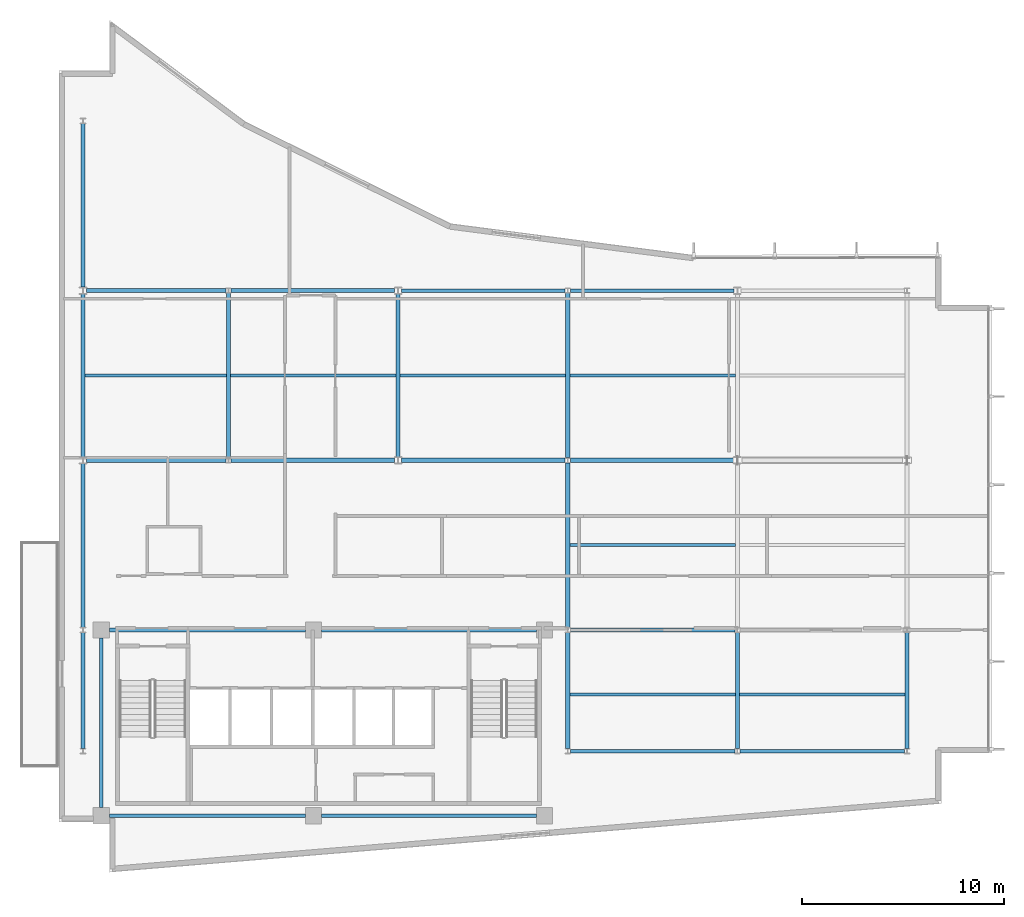
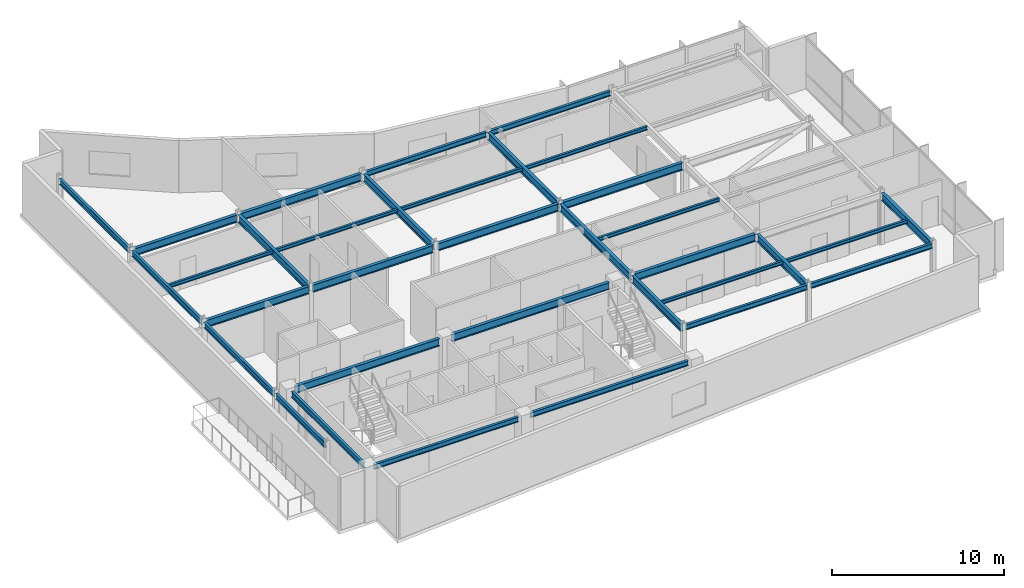
# One storey, part 5 of 19: 34 beams.
"""IFC4 building model written with IfcOpenShell, lengths in metres."""

from ifc_helpers import new_model, si_unit, direction, frame, origin, origin_2d, place, context, subcontext, project, spatial, i_section, extrude, material, material_profile, profile_set, type_object, element, save


model = new_model("IFC4")

# Units and contexts
model_context = context("Model", 3, precision=1e-05, world=origin(), true_north=direction((0.0, 1.0)))
body_context = subcontext(model_context, "Body", "Model", "MODEL_VIEW")
ifc_project = project(units=[si_unit("LENGTHUNIT", "METRE"), si_unit("AREAUNIT", "SQUARE_METRE"), si_unit("VOLUMEUNIT", "CUBIC_METRE"), si_unit("PLANEANGLEUNIT", "RADIAN"), si_unit("MASSUNIT", "GRAM", prefix="KILO")], contexts=[model_context])

# Site, building, storey
site_placement = place(None, origin())
site = spatial("IfcSite", under=ifc_project, at=site_placement, CompositionType="ELEMENT")
building_placement = place(site_placement, origin())
building = spatial("IfcBuilding", under=site, at=building_placement, Name="Varnakote Quay Hospital", CompositionType="ELEMENT")
storey_placement = place(building_placement, frame((0.0, 0.0, 240.75)))
storey = spatial("IfcBuildingStorey", under=building, at=storey_placement, Name="L59", CompositionType="ELEMENT", Elevation=240.75)

# Beams
ifc_material_1 = material(Name="Structural steel AS/NZS 3679.1 Grade 350 L0 (fy 340 MPa)", Category="steel")
ifc_material_profile_1 = material_profile(ifc_material_1, i_section(OverallWidth=0.208984375, OverallDepth=0.528076171875, WebThickness=0.009521484375, FlangeThickness=0.01318359375, FilletRadius=0.013916015625, at=origin_2d()), Name="530UB82.0")
ifc_profile_set_1 = profile_set([ifc_material_profile_1], Name="Structural steel AS/NZS 3679.1 Grade 350 L0 (fy 340 MPa)")
beam_type_1 = type_object("IfcBeamType", Name="BM-STL-530UB82-0", PredefinedType="BEAM", material=ifc_profile_set_1)
beam_1_placement = place(storey_placement, frame((2.5, 12.0, 3.446044921875), z_axis=(1.0, 0.0, 0.0), x_axis=(0.0, 1.0, 0.0)))
element("IfcBeam", 1, at=beam_1_placement, inside=storey, type_object=beam_type_1, Name="L59 Primary Floor Beam", PredefinedType="BEAM", context=body_context, shape_type="SweptSolid", body=[
    extrude(i_section(OverallWidth=0.208984375, OverallDepth=0.528076171875, WebThickness=0.009521484375, FlangeThickness=0.01318359375, FilletRadius=0.013916015625, at=origin_2d()), origin(), (0.0, 0.0, 1.0), 9.719970703125),
])
beam_2_placement = place(storey_placement, frame((13.02001953125, 12.0, 3.446044921875), z_axis=(1.0, 0.0, 0.0), x_axis=(0.0, 1.0, 0.0)))
element("IfcBeam", 2, at=beam_2_placement, inside=storey, type_object=beam_type_1, Name="L59 Primary Floor Beam", PredefinedType="BEAM", context=body_context, shape_type="SweptSolid", body=[
    extrude(i_section(OverallWidth=0.208984375, OverallDepth=0.528076171875, WebThickness=0.009521484375, FlangeThickness=0.01318359375, FilletRadius=0.013916015625, at=origin_2d()), origin(), (0.0, 0.0, 1.0), 10.6298828125),
])
beam_3_placement = place(storey_placement, frame((25.326904296875, 12.0, 3.446044921875), z_axis=(1.0, 0.0, 0.0), x_axis=(0.0, 1.0, 0.0)))
element("IfcBeam", 3, at=beam_3_placement, inside=storey, type_object=beam_type_1, Name="L59 Primary Floor Beam", PredefinedType="BEAM", context=body_context, shape_type="SweptSolid", body=[
    extrude(i_section(OverallWidth=0.208984375, OverallDepth=0.528076171875, WebThickness=0.009521484375, FlangeThickness=0.01318359375, FilletRadius=0.013916015625, at=origin_2d()), origin(), (0.0, 0.0, 1.0), 8.14599609375),
])
beam_4_placement = place(storey_placement, frame((1.375, 20.39990234375, 3.446044921875), z_axis=(1.0, 0.0, 0.0), x_axis=(0.0, 1.0, 0.0)))
element("IfcBeam", 4, at=beam_4_placement, inside=storey, type_object=beam_type_1, Name="L59 Primary Floor Beam", PredefinedType="BEAM", context=body_context, shape_type="SweptSolid", body=[
    extrude(i_section(OverallWidth=0.208984375, OverallDepth=0.528076171875, WebThickness=0.009521484375, FlangeThickness=0.01318359375, FilletRadius=0.013916015625, at=origin_2d()), origin(), (0.0, 0.0, 1.0), 6.89794921875),
])
for number, where, z_axis, x_axis, name in (
    (5, (8.527099609375, 20.39990234375, 3.446044921875), (1.0, 0.0, 0.0), (0.0, 1.0, 0.0), "L59 Primary Floor Beam"),
    (6, (16.97509765625, 20.39990234375, 3.446044921875), (1.0, 0.0, 0.0), (0.0, 1.0, 0.0), "L59 Primary Floor Beam"),
):
    element("IfcBeam", number, at=place(storey_placement, frame(where, z_axis=z_axis, x_axis=x_axis)), inside=storey, type_object=beam_type_1, Name=name, PredefinedType="BEAM", context=body_context, shape_type="SweptSolid", body=[
        extrude(i_section(OverallWidth=0.208984375, OverallDepth=0.528076171875, WebThickness=0.009521484375, FlangeThickness=0.01318359375, FilletRadius=0.013916015625, at=origin_2d()), origin(), (0.0, 0.0, 1.0), 8.097900390625),
    ])
beam_5_placement = place(storey_placement, frame((25.326904296875, 20.39990234375, 3.446044921875), z_axis=(1.0, 0.0, 0.0), x_axis=(0.0, 1.0, 0.0)))
element("IfcBeam", 7, at=beam_5_placement, inside=storey, type_object=beam_type_1, Name="L59 Primary Floor Beam", PredefinedType="BEAM", context=body_context, shape_type="SweptSolid", body=[
    extrude(i_section(OverallWidth=0.208984375, OverallDepth=0.528076171875, WebThickness=0.009521484375, FlangeThickness=0.01318359375, FilletRadius=0.013916015625, at=origin_2d()), origin(), (0.0, 0.0, 1.0), 8.09814453125),
])
beam_6_placement = place(storey_placement, frame((1.375, 28.800048828125, 3.446044921875), z_axis=(1.0, 0.0, 0.0), x_axis=(0.0, 1.0, 0.0)))
element("IfcBeam", 8, at=beam_6_placement, inside=storey, type_object=beam_type_1, Name="L59 Primary Floor Beam", PredefinedType="BEAM", context=body_context, shape_type="SweptSolid", body=[
    extrude(i_section(OverallWidth=0.208984375, OverallDepth=0.528076171875, WebThickness=0.009521484375, FlangeThickness=0.01318359375, FilletRadius=0.013916015625, at=origin_2d()), origin(), (0.0, 0.0, 1.0), 6.89794921875),
])
beam_7_placement = place(storey_placement, frame((8.527099609375, 28.800048828125, 3.446044921875), z_axis=(1.0, 0.0, 0.0), x_axis=(0.0, 1.0, 0.0)))
element("IfcBeam", 9, at=beam_7_placement, inside=storey, type_object=beam_type_1, Name="L59 Primary Floor Beam", PredefinedType="BEAM", context=body_context, shape_type="SweptSolid", body=[
    extrude(i_section(OverallWidth=0.208984375, OverallDepth=0.528076171875, WebThickness=0.009521484375, FlangeThickness=0.01318359375, FilletRadius=0.013916015625, at=origin_2d()), origin(), (0.0, 0.0, 1.0), 8.097900390625),
])
beam_8_placement = place(storey_placement, frame((8.39990234375, 20.527099609375, 3.446044921875), z_axis=(0.0, 1.0, 0.0), x_axis=(-1.0, 0.0, 0.0)))
element("IfcBeam", 10, at=beam_8_placement, inside=storey, type_object=beam_type_1, Name="L59 Primary Tie Beam", PredefinedType="BEAM", context=body_context, shape_type="SweptSolid", body=[
    extrude(i_section(OverallWidth=0.208984375, OverallDepth=0.528076171875, WebThickness=0.009521484375, FlangeThickness=0.01318359375, FilletRadius=0.013916015625, at=origin_2d()), origin(), (0.0, 0.0, 1.0), 8.14599609375),
])
beam_9_placement = place(storey_placement, frame((16.800048828125, 20.570068359375, 3.446044921875), z_axis=(0.0, 1.0, 0.0), x_axis=(-1.0, 0.0, 0.0)))
element("IfcBeam", 11, at=beam_9_placement, inside=storey, type_object=beam_type_1, Name="L59 Primary Tie Beam", PredefinedType="BEAM", context=body_context, shape_type="SweptSolid", body=[
    extrude(i_section(OverallWidth=0.208984375, OverallDepth=0.528076171875, WebThickness=0.009521484375, FlangeThickness=0.01318359375, FilletRadius=0.013916015625, at=origin_2d()), origin(), (0.0, 0.0, 1.0), 8.059814453125),
])
beam_10_placement = place(storey_placement, frame((25.199951171875, 6.126953125, 3.446044921875), z_axis=(0.0, 1.0, 0.0), x_axis=(-1.0, 0.0, 0.0)))
element("IfcBeam", 12, at=beam_10_placement, inside=storey, type_object=beam_type_1, Name="L59 Primary Tie Beam", PredefinedType="BEAM", context=body_context, shape_type="SweptSolid", body=[
    extrude(i_section(OverallWidth=0.208984375, OverallDepth=0.528076171875, WebThickness=0.009521484375, FlangeThickness=0.01318359375, FilletRadius=0.013916015625, at=origin_2d()), origin(), (0.0, 0.0, 1.0), 5.74609375),
])
for number, where, z_axis, x_axis, name in (
    (13, (25.199951171875, 12.126953125, 3.446044921875), (0.0, 1.0, 0.0), (-1.0, 0.0, 0.0), "L59 Primary Tie Beam"),
    (14, (25.199951171875, 20.527099609375, 3.446044921875), (0.0, 1.0, 0.0), (-1.0, 0.0, 0.0), "L59 Primary Tie Beam"),
):
    element("IfcBeam", number, at=place(storey_placement, frame(where, z_axis=z_axis, x_axis=x_axis)), inside=storey, type_object=beam_type_1, Name=name, PredefinedType="BEAM", context=body_context, shape_type="SweptSolid", body=[
        extrude(i_section(OverallWidth=0.208984375, OverallDepth=0.528076171875, WebThickness=0.009521484375, FlangeThickness=0.01318359375, FilletRadius=0.013916015625, at=origin_2d()), origin(), (0.0, 0.0, 1.0), 8.14599609375),
    ])
for number, where, z_axis, x_axis, name in (
    (15, (33.60009765625, 6.126953125, 3.446044921875), (0.0, 1.0, 0.0), (-1.0, 0.0, 0.0), "L59 Primary Tie Beam"),
    (16, (42.0, 6.126953125, 3.446044921875), (0.0, 1.0, 0.0), (-1.0, 0.0, 0.0), "L59 Primary Tie Beam"),
):
    element("IfcBeam", number, at=place(storey_placement, frame(where, z_axis=z_axis, x_axis=x_axis)), inside=storey, type_object=beam_type_1, Name=name, PredefinedType="BEAM", context=body_context, shape_type="SweptSolid", body=[
        extrude(i_section(OverallWidth=0.208984375, OverallDepth=0.528076171875, WebThickness=0.009521484375, FlangeThickness=0.01318359375, FilletRadius=0.013916015625, at=origin_2d()), origin(), (0.0, 0.0, 1.0), 5.74609375),
    ])
ifc_material_2 = material(Name="Structural steel AS/NZS 3679.1 Grade 350 L0 (fy 340 MPa)", Category="steel")
ifc_material_profile_2 = material_profile(ifc_material_2, i_section(OverallWidth=0.14599609375, OverallDepth=0.256103515625, WebThickness=0.00634765625, FlangeThickness=0.010986328125, FilletRadius=0.0087890625, at=origin_2d()), Name="250UB37.3")
ifc_profile_set_2 = profile_set([ifc_material_profile_2], Name="Structural steel AS/NZS 3679.1 Grade 350 L0 (fy 340 MPa)")
beam_type_2 = type_object("IfcBeamType", Name="JST-STL-250UB37-3", PredefinedType="JOIST", material=ifc_profile_set_2)
beam_11_placement = place(storey_placement, frame((25.304443359375, 8.800048828125, 3.58203125), z_axis=(1.0, 0.0, 0.0), x_axis=(0.0, 1.0, 0.0)))
element("IfcBeam", 17, at=beam_11_placement, inside=storey, type_object=beam_type_2, Name="L59 Composite Floor Joist", PredefinedType="JOIST", context=body_context, shape_type="SweptSolid", body=[
    extrude(i_section(OverallWidth=0.14599609375, OverallDepth=0.256103515625, WebThickness=0.00634765625, FlangeThickness=0.010986328125, FilletRadius=0.0087890625, at=origin_2d()), origin(), (0.0, 0.0, 1.0), 8.191162109375),
])
beam_12_placement = place(storey_placement, frame((33.70458984375, 8.800048828125, 3.58203125), z_axis=(1.0, 0.0, 0.0), x_axis=(0.0, 1.0, 0.0)))
element("IfcBeam", 18, at=beam_12_placement, inside=storey, type_object=beam_type_2, Name="L59 Composite Floor Joist", PredefinedType="JOIST", context=body_context, shape_type="SweptSolid", body=[
    extrude(i_section(OverallWidth=0.14599609375, OverallDepth=0.256103515625, WebThickness=0.00634765625, FlangeThickness=0.010986328125, FilletRadius=0.0087890625, at=origin_2d()), origin(), (0.0, 0.0, 1.0), 8.19091796875),
])
beam_13_placement = place(storey_placement, frame((25.304443359375, 16.199951171875, 3.58203125), z_axis=(1.0, 0.0, 0.0), x_axis=(0.0, 1.0, 0.0)))
element("IfcBeam", 19, at=beam_13_placement, inside=storey, type_object=beam_type_2, Name="L59 Composite Floor Joist", PredefinedType="JOIST", context=body_context, shape_type="SweptSolid", body=[
    extrude(i_section(OverallWidth=0.14599609375, OverallDepth=0.256103515625, WebThickness=0.00634765625, FlangeThickness=0.010986328125, FilletRadius=0.0087890625, at=origin_2d()), origin(), (0.0, 0.0, 1.0), 8.191162109375),
])
beam_14_placement = place(storey_placement, frame((1.2890625, 24.60009765625, 3.58203125), z_axis=(1.0, 0.0, 0.0), x_axis=(0.0, 1.0, 0.0)))
element("IfcBeam", 20, at=beam_14_placement, inside=storey, type_object=beam_type_2, Name="L59 Composite Floor Joist", PredefinedType="JOIST", context=body_context, shape_type="SweptSolid", body=[
    extrude(i_section(OverallWidth=0.14599609375, OverallDepth=0.256103515625, WebThickness=0.00634765625, FlangeThickness=0.010986328125, FilletRadius=0.0087890625, at=origin_2d()), origin(), (0.0, 0.0, 1.0), 7.00634765625),
])
beam_15_placement = place(storey_placement, frame((8.50439453125, 24.60009765625, 3.58203125), z_axis=(1.0, 0.0, 0.0), x_axis=(0.0, 1.0, 0.0)))
element("IfcBeam", 21, at=beam_15_placement, inside=storey, type_object=beam_type_2, Name="L59 Composite Floor Joist", PredefinedType="JOIST", context=body_context, shape_type="SweptSolid", body=[
    extrude(i_section(OverallWidth=0.14599609375, OverallDepth=0.256103515625, WebThickness=0.00634765625, FlangeThickness=0.010986328125, FilletRadius=0.0087890625, at=origin_2d()), origin(), (0.0, 0.0, 1.0), 8.191162109375),
])
beam_16_placement = place(storey_placement, frame((16.904541015625, 24.60009765625, 3.58203125), z_axis=(1.0, 0.0, 0.0), x_axis=(0.0, 1.0, 0.0)))
element("IfcBeam", 22, at=beam_16_placement, inside=storey, type_object=beam_type_2, Name="L59 Composite Floor Joist", PredefinedType="JOIST", context=body_context, shape_type="SweptSolid", body=[
    extrude(i_section(OverallWidth=0.14599609375, OverallDepth=0.256103515625, WebThickness=0.00634765625, FlangeThickness=0.010986328125, FilletRadius=0.0087890625, at=origin_2d()), origin(), (0.0, 0.0, 1.0), 8.19091796875),
])
beam_17_placement = place(storey_placement, frame((25.304443359375, 24.60009765625, 3.58203125), z_axis=(1.0, 0.0, 0.0), x_axis=(0.0, 1.0, 0.0)))
element("IfcBeam", 23, at=beam_17_placement, inside=storey, type_object=beam_type_2, Name="L59 Composite Floor Joist", PredefinedType="JOIST", context=body_context, shape_type="SweptSolid", body=[
    extrude(i_section(OverallWidth=0.14599609375, OverallDepth=0.256103515625, WebThickness=0.00634765625, FlangeThickness=0.010986328125, FilletRadius=0.0087890625, at=origin_2d()), origin(), (0.0, 0.0, 1.0), 8.191162109375),
])
ifc_material_3 = material(Name="Structural steel AS/NZS 3679.1 Grade 350 L0 (fy 340 MPa)", Category="steel")
ifc_material_profile_3 = material_profile(ifc_material_3, i_section(OverallWidth=0.172119140625, OverallDepth=0.35888671875, WebThickness=0.008056640625, FlangeThickness=0.012939453125, FilletRadius=0.011474609375, at=origin_2d()), Name="360UB56.7")
ifc_profile_set_3 = profile_set([ifc_material_profile_3], Name="Structural steel AS/NZS 3679.1 Grade 350 L0 (fy 340 MPa)")
beam_type_3 = type_object("IfcBeamType", Name="SPN-STL-360UB56-7", PredefinedType="SPANDREL", material=ifc_profile_set_3)
beam_18_placement = place(storey_placement, frame((2.5, 2.800048828125, 3.530517578125), z_axis=(1.0, 0.0, 0.0), x_axis=(0.0, 1.0, 0.0)))
element("IfcBeam", 24, at=beam_18_placement, inside=storey, type_object=beam_type_3, Name="L59 Perimeter Spandrel Beam", PredefinedType="SPANDREL", context=body_context, shape_type="SweptSolid", body=[
    extrude(i_section(OverallWidth=0.172119140625, OverallDepth=0.35888671875, WebThickness=0.008056640625, FlangeThickness=0.012939453125, FilletRadius=0.011474609375, at=origin_2d()), origin(), (0.0, 0.0, 1.0), 9.719970703125),
])
beam_19_placement = place(storey_placement, frame((13.02001953125, 2.800048828125, 3.530517578125), z_axis=(1.0, 0.0, 0.0), x_axis=(0.0, 1.0, 0.0)))
element("IfcBeam", 25, at=beam_19_placement, inside=storey, type_object=beam_type_3, Name="L59 Perimeter Spandrel Beam", PredefinedType="SPANDREL", context=body_context, shape_type="SweptSolid", body=[
    extrude(i_section(OverallWidth=0.172119140625, OverallDepth=0.35888671875, WebThickness=0.008056640625, FlangeThickness=0.012939453125, FilletRadius=0.011474609375, at=origin_2d()), origin(), (0.0, 0.0, 1.0), 10.6298828125),
])
for number, where, z_axis, x_axis, name in (
    (26, (25.326904296875, 6.0, 3.530517578125), (1.0, 0.0, 0.0), (0.0, 1.0, 0.0), "L59 Perimeter Spandrel Beam"),
    (27, (33.72705078125, 6.0, 3.530517578125), (1.0, 0.0, 0.0), (0.0, 1.0, 0.0), "L59 Perimeter Spandrel Beam"),
):
    element("IfcBeam", number, at=place(storey_placement, frame(where, z_axis=z_axis, x_axis=x_axis)), inside=storey, type_object=beam_type_3, Name=name, PredefinedType="SPANDREL", context=body_context, shape_type="SweptSolid", body=[
        extrude(i_section(OverallWidth=0.172119140625, OverallDepth=0.35888671875, WebThickness=0.008056640625, FlangeThickness=0.012939453125, FilletRadius=0.011474609375, at=origin_2d()), origin(), (0.0, 0.0, 1.0), 8.14599609375),
    ])
beam_20_placement = place(storey_placement, frame((16.97509765625, 28.800048828125, 3.530517578125), z_axis=(1.0, 0.0, 0.0), x_axis=(0.0, 1.0, 0.0)))
element("IfcBeam", 28, at=beam_20_placement, inside=storey, type_object=beam_type_3, Name="L59 Perimeter Spandrel Beam", PredefinedType="SPANDREL", context=body_context, shape_type="SweptSolid", body=[
    extrude(i_section(OverallWidth=0.172119140625, OverallDepth=0.35888671875, WebThickness=0.008056640625, FlangeThickness=0.012939453125, FilletRadius=0.011474609375, at=origin_2d()), origin(), (0.0, 0.0, 1.0), 8.097900390625),
])
beam_21_placement = place(storey_placement, frame((25.326904296875, 28.800048828125, 3.530517578125), z_axis=(1.0, 0.0, 0.0), x_axis=(0.0, 1.0, 0.0)))
element("IfcBeam", 29, at=beam_21_placement, inside=storey, type_object=beam_type_3, Name="L59 Perimeter Spandrel Beam", PredefinedType="SPANDREL", context=body_context, shape_type="SweptSolid", body=[
    extrude(i_section(OverallWidth=0.172119140625, OverallDepth=0.35888671875, WebThickness=0.008056640625, FlangeThickness=0.012939453125, FilletRadius=0.011474609375, at=origin_2d()), origin(), (0.0, 0.0, 1.0), 8.09814453125),
])
ifc_material_4 = material(Name="Structural steel AS/NZS 3679.1 Grade 350 L0 (fy 340 MPa)", Category="steel")
ifc_material_profile_4 = material_profile(ifc_material_4, i_section(OverallWidth=0.177978515625, OverallDepth=0.403076171875, WebThickness=0.007568359375, FlangeThickness=0.010986328125, FilletRadius=0.011474609375, at=origin_2d()), Name="410UB53.7")
ifc_profile_set_4 = profile_set([ifc_material_profile_4], Name="Structural steel AS/NZS 3679.1 Grade 350 L0 (fy 340 MPa)")
beam_type_4 = type_object("IfcBeamType", Name="SPN-STL-410UB53-7", PredefinedType="SPANDREL", material=ifc_profile_set_4)
beam_22_placement = place(storey_placement, frame((1.199951171875, 6.126953125, 3.508544921875), z_axis=(0.0, 1.0, 0.0), x_axis=(-1.0, 0.0, 0.0)))
element("IfcBeam", 30, at=beam_22_placement, inside=storey, type_object=beam_type_4, Name="L59 Perimeter Spandrel Beam", PredefinedType="SPANDREL", context=body_context, shape_type="SweptSolid", body=[
    extrude(i_section(OverallWidth=0.177978515625, OverallDepth=0.403076171875, WebThickness=0.007568359375, FlangeThickness=0.010986328125, FilletRadius=0.011474609375, at=origin_2d()), origin(), (0.0, 0.0, 1.0), 5.74609375),
])
beam_23_placement = place(storey_placement, frame((1.199951171875, 12.126953125, 3.508544921875), z_axis=(0.0, 1.0, 0.0), x_axis=(-1.0, 0.0, 0.0)))
element("IfcBeam", 31, at=beam_23_placement, inside=storey, type_object=beam_type_4, Name="L59 Perimeter Spandrel Beam", PredefinedType="SPANDREL", context=body_context, shape_type="SweptSolid", body=[
    extrude(i_section(OverallWidth=0.177978515625, OverallDepth=0.403076171875, WebThickness=0.007568359375, FlangeThickness=0.010986328125, FilletRadius=0.011474609375, at=origin_2d()), origin(), (0.0, 0.0, 1.0), 8.10302734375),
])
beam_24_placement = place(storey_placement, frame((1.199951171875, 20.570068359375, 3.508544921875), z_axis=(0.0, 1.0, 0.0), x_axis=(-1.0, 0.0, 0.0)))
element("IfcBeam", 32, at=beam_24_placement, inside=storey, type_object=beam_type_4, Name="L59 Perimeter Spandrel Beam", PredefinedType="SPANDREL", context=body_context, shape_type="SweptSolid", body=[
    extrude(i_section(OverallWidth=0.177978515625, OverallDepth=0.403076171875, WebThickness=0.007568359375, FlangeThickness=0.010986328125, FilletRadius=0.011474609375, at=origin_2d()), origin(), (0.0, 0.0, 1.0), 8.059814453125),
])
beam_25_placement = place(storey_placement, frame((1.199951171875, 28.969970703125, 3.508544921875), z_axis=(0.0, 1.0, 0.0), x_axis=(-1.0, 0.0, 0.0)))
element("IfcBeam", 33, at=beam_25_placement, inside=storey, type_object=beam_type_4, Name="L59 Perimeter Spandrel Beam", PredefinedType="SPANDREL", context=body_context, shape_type="SweptSolid", body=[
    extrude(i_section(OverallWidth=0.177978515625, OverallDepth=0.403076171875, WebThickness=0.007568359375, FlangeThickness=0.010986328125, FilletRadius=0.011474609375, at=origin_2d()), origin(), (0.0, 0.0, 1.0), 8.10302734375),
])
beam_26_placement = place(storey_placement, frame((2.10009765625, 3.199951171875, 3.508544921875), z_axis=(0.0, 1.0, 0.0), x_axis=(-1.0, 0.0, 0.0)))
element("IfcBeam", 34, at=beam_26_placement, inside=storey, type_object=beam_type_4, Name="L59 Perimeter Spandrel Beam", PredefinedType="SPANDREL", context=body_context, shape_type="SweptSolid", body=[
    extrude(i_section(OverallWidth=0.177978515625, OverallDepth=0.403076171875, WebThickness=0.007568359375, FlangeThickness=0.010986328125, FilletRadius=0.011474609375, at=origin_2d()), origin(), (0.0, 0.0, 1.0), 8.400146484375),
])

save(model, "model.ifc")
